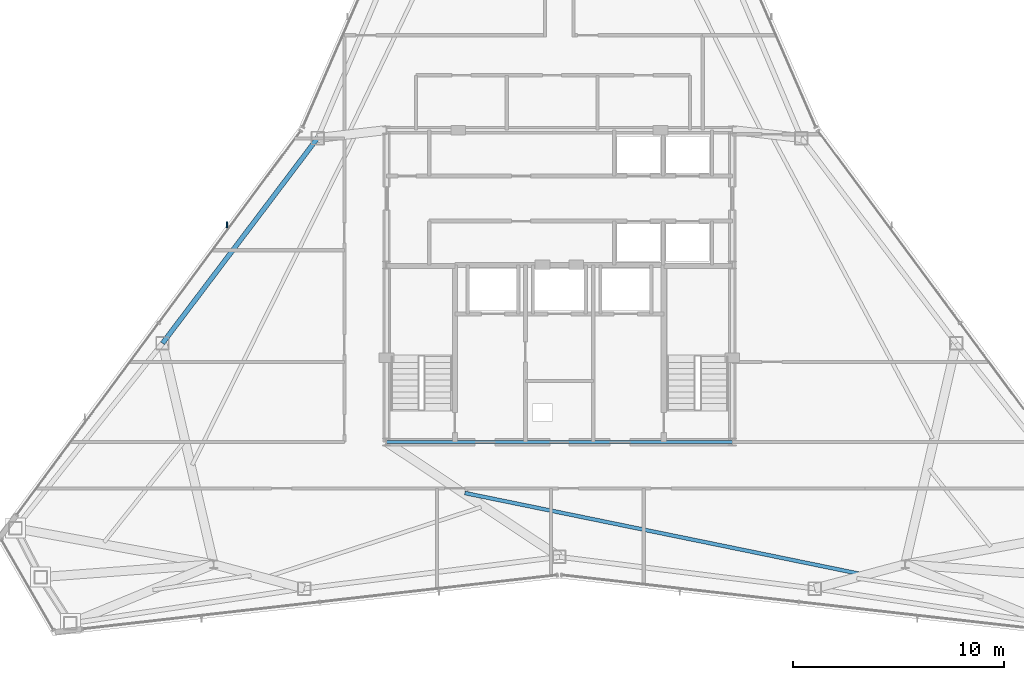
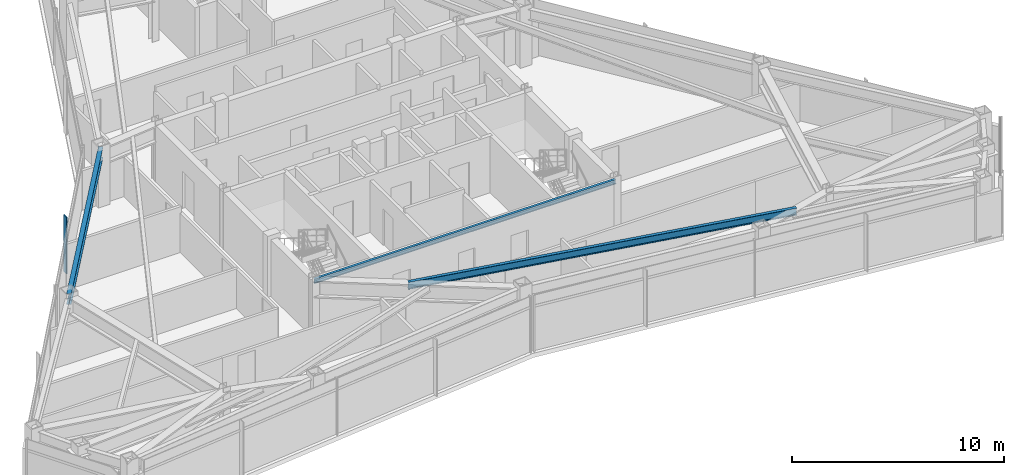
# One storey, part 4 of 12: 3 beams, 1 member, 1 element without a shape of its own.
"""IFC4 building model written with IfcOpenShell, lengths in metres."""

from ifc_helpers import new_model, si_unit, direction, frame, origin, origin_2d, place, context, subcontext, project, spatial, rectangle, i_section, extrude, source, transform, mapped, material, layer, layer_set, material_profile, profile_set, type_object, type_shapes, element, aggregate, save


model = new_model("IFC4")

# Units and contexts
model_context = context("Model", 3, precision=1e-05, world=origin(), true_north=direction((0.0, 1.0)))
body_context = subcontext(model_context, "Body", "Model", "MODEL_VIEW")
ifc_project = project(units=[si_unit("LENGTHUNIT", "METRE"), si_unit("AREAUNIT", "SQUARE_METRE"), si_unit("VOLUMEUNIT", "CUBIC_METRE"), si_unit("PLANEANGLEUNIT", "RADIAN"), si_unit("MASSUNIT", "GRAM", prefix="KILO")], contexts=[model_context])

# Site, building, storey
site_placement = place(None, origin())
site = spatial("IfcSite", under=ifc_project, at=site_placement, CompositionType="ELEMENT")
building_placement = place(site_placement, origin())
building = spatial("IfcBuilding", under=site, at=building_placement, Name="Varakhsha Concourse Tower", CompositionType="ELEMENT")
storey_placement = place(building_placement, frame((0.0, 0.0, 283.0)))
storey = spatial("IfcBuildingStorey", under=building, at=storey_placement, Name="L80", CompositionType="ELEMENT", Elevation=283.0)

# Beams
ifc_material_1 = material(Name="Structural Steel ASTM A992 Grade 50", Category="steel")
ifc_material_profile_1 = material_profile(ifc_material_1, i_section(OverallWidth=0.177978515625, OverallDepth=0.406982421875, WebThickness=0.008056640625, FlangeThickness=0.012939453125, at=origin_2d()), Name="W16X40")
ifc_profile_set_1 = profile_set([ifc_material_profile_1], Name="Structural Steel ASTM A992 Grade 50")
beam_type_1 = type_object("IfcBeamType", Name="BM-JST-W16X40", PredefinedType="JOIST", material=ifc_profile_set_1)
beam_1_placement = place(storey_placement, frame((35.515869140625, 13.9814453125, 3.04638671875), z_axis=(0.979703686828, -0.200451206071, 0.0), x_axis=(0.200451206071, 0.979703686828, 0.0)))
element("IfcBeam", 1, at=beam_1_placement, inside=storey, type_object=beam_type_1, Name="BM-TJST-L80-11", PredefinedType="JOIST", context=body_context, shape_type="SweptSolid", body=[
    extrude(i_section(OverallWidth=0.177978515625, OverallDepth=0.406982421875, WebThickness=0.008056640625, FlangeThickness=0.012939453125, at=origin_2d()), origin(), (0.0, 0.0, 1.0), 19.2802734375),
])
ifc_material_profile_2 = material_profile(ifc_material_1, i_section(OverallWidth=0.14697265625, OverallDepth=0.261962890625, WebThickness=0.007080078125, FlangeThickness=0.010986328125, at=origin_2d()), Name="W10X26")
ifc_profile_set_2 = profile_set([ifc_material_profile_2], Name="Structural Steel ASTM A992 Grade 50")
beam_type_2 = type_object("IfcBeamType", Name="BM-LNTL-W10X26", PredefinedType="LINTEL", material=ifc_profile_set_2)
beam_2_placement = place(storey_placement, frame((31.800048828125, 16.39990234375, 3.118896484375), z_axis=(1.0, 0.0, 0.0), x_axis=(0.0, 1.0, 0.0)))
element("IfcBeam", 2, at=beam_2_placement, inside=storey, type_object=beam_type_2, Name="BM-TCORE-L80-CS", PredefinedType="LINTEL", context=body_context, shape_type="SweptSolid", body=[
    extrude(i_section(OverallWidth=0.14697265625, OverallDepth=0.261962890625, WebThickness=0.007080078125, FlangeThickness=0.010986328125, at=origin_2d()), origin(), (0.0, 0.0, 1.0), 16.39990234375),
])
ifc_material_profile_3 = material_profile(ifc_material_1, i_section(OverallWidth=0.22900390625, OverallDepth=0.612060546875, WebThickness=0.011962890625, FlangeThickness=0.02001953125, at=origin_2d()), Name="W24X84")
ifc_profile_set_3 = profile_set([ifc_material_profile_3], Name="Structural Steel ASTM A992 Grade 50")
beam_type_3 = type_object("IfcBeamType", Name="BM-SPAN-W24X84", PredefinedType="SPANDREL", material=ifc_profile_set_3)
beam_3_placement = place(storey_placement, frame((28.528076171875, 30.8232421875, 2.944091796875), z_axis=(-0.60276855687, -0.797916077572, 0.0), x_axis=(0.797916077572, -0.60276855687, 0.0)))
element("IfcBeam", 3, at=beam_3_placement, inside=storey, type_object=beam_type_3, Name="BM-SPAN-L80-05", PredefinedType="SPANDREL", context=body_context, shape_type="SweptSolid", body=[
    extrude(i_section(OverallWidth=0.22900390625, OverallDepth=0.612060546875, WebThickness=0.011962890625, FlangeThickness=0.02001953125, at=origin_2d()), origin(), (0.0, 0.0, 1.0), 12.202880859375),
])

# Curtain wall, member
ifc_material_2 = material(Name="Anodised Bronze Architectural Aluminium AA 6063-T6", Category="aluminium")
ifc_layer = layer(ifc_material_2, 0.199951171875, Name="CW-SYS-05")
ifc_layer_set = layer_set([ifc_layer], Name="Anodised Bronze Architectural Aluminium AA 6063-T6")
curtain_wall_type = type_object("IfcCurtainWallType", Name="CW-SYS-05", PredefinedType="NOTDEFINED", material=ifc_layer_set)
curtain_wall_placement = place(storey_placement, origin())
curtain_wall = element("IfcCurtainWall", 4, at=curtain_wall_placement, inside=storey, type_object=curtain_wall_type, Name="L80 Crystal Curtain Wall F3", PredefinedType="NOTDEFINED")
ifc_material_profile_4 = material_profile(ifc_material_2, rectangle(XDim=0.054931640625, YDim=0.300048828125, at=origin_2d()), Name="FIN-BRZ-300")
ifc_profile_set_4 = profile_set([ifc_material_profile_4], Name="Anodised Bronze Architectural Aluminium AA 6063-T6")
member_type = type_object("IfcMemberType", Name="FIN-BRZ-300", PredefinedType="USERDEFINED", material=ifc_profile_set_4)
shared_shape = source(origin(), body_context, "Body", "SweptSolid", [
    extrude(rectangle(XDim=0.054931640625, YDim=0.300048828125, at=origin_2d()), origin(), (0.0, 0.0, 1.0), 3.25),
])
type_shapes(member_type, [shared_shape])
member_placement = place(storey_placement, frame((24.229736328125, 26.709716796875, 0.0), z_axis=(0.0, 0.0, 1.0), x_axis=(1.0, 0.0, 0.0)))
member = element("IfcMember", 5, at=member_placement, type_object=member_type, Name="L80 Anodised Bronze Solar Fin F3-2", ObjectType="SOLAR FIN", PredefinedType="USERDEFINED", context=body_context, shape_type="MappedRepresentation", body=[
    mapped(shared_shape, transform((0.0, 0.0, 0.0), scale=1.0)),
])
aggregate(curtain_wall, [member])

save(model, "model.ifc")
